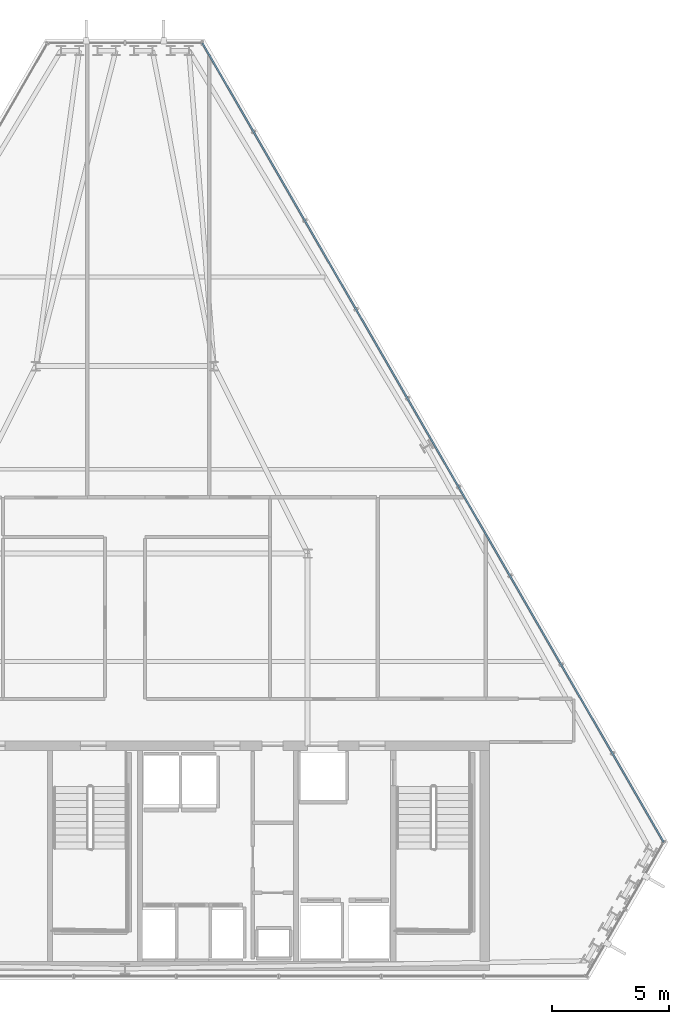
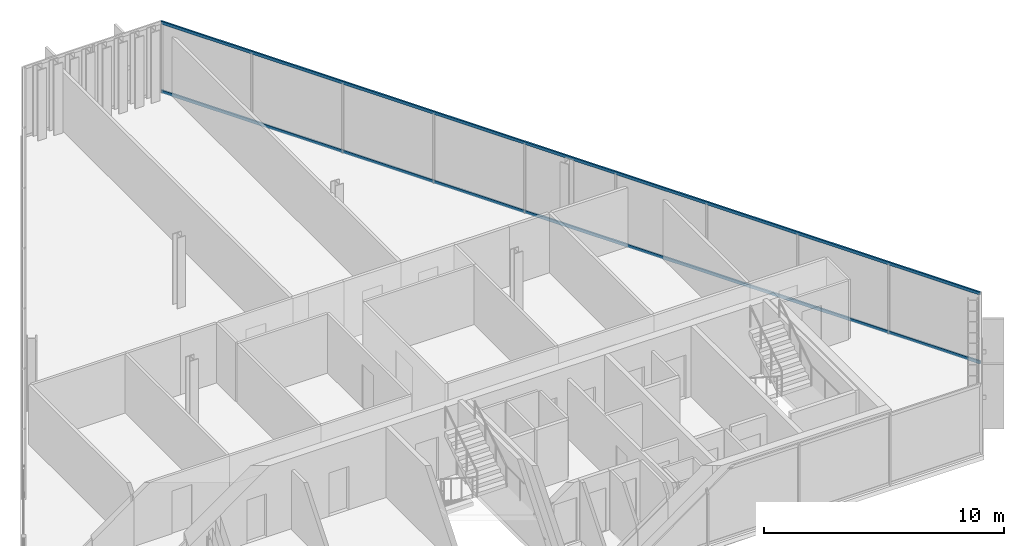
# One storey, part 18 of 29: 2 members, 1 element without a shape of its own.
"""IFC4 building model written with IfcOpenShell, lengths in metres."""

from ifc_helpers import new_model, si_unit, direction, frame, origin, origin_2d, place, context, subcontext, project, spatial, hollow_rectangle, extrude, material, layer, layer_set, material_profile, profile_set, type_object, element, aggregate, save


model = new_model("IFC4")

# Units and contexts
model_context = context("Model", 3, precision=1e-05, world=origin(), true_north=direction((0.0, 1.0)))
body_context = subcontext(model_context, "Body", "Model", "MODEL_VIEW")
ifc_project = project(units=[si_unit("LENGTHUNIT", "METRE"), si_unit("AREAUNIT", "SQUARE_METRE"), si_unit("VOLUMEUNIT", "CUBIC_METRE"), si_unit("PLANEANGLEUNIT", "RADIAN"), si_unit("MASSUNIT", "GRAM", prefix="KILO")], contexts=[model_context])

# Site, building, storey
site_placement = place(None, origin())
site = spatial("IfcSite", under=ifc_project, at=site_placement, CompositionType="ELEMENT")
building_placement = place(site_placement, origin())
building = spatial("IfcBuilding", under=site, at=building_placement, Name="Ndaravel Arena Tower", CompositionType="ELEMENT")
storey_placement = place(building_placement, frame((0.0, 0.0, 244.60009765625)))
storey = spatial("IfcBuildingStorey", under=building, at=storey_placement, Name="L59", CompositionType="ELEMENT", Elevation=244.60009765625)

# Curtain wall, members
ifc_material_1 = material(Name="Aluminium", Category="aluminium")
ifc_layer = layer(ifc_material_1, 0.179931640625)
ifc_layer_set = layer_set([ifc_layer], Name="Aluminium")
curtain_wall_type = type_object("IfcCurtainWallType", Name="CW-SYS-03", PredefinedType="NOTDEFINED", material=ifc_layer_set)
curtain_wall_placement = place(storey_placement, origin())
curtain_wall = element("IfcCurtainWall", 1, at=curtain_wall_placement, inside=storey, type_object=curtain_wall_type, Name="L59 Faceted Crystal Curtain Wall CW-L59-E03", PredefinedType="NOTDEFINED")
ifc_material_2 = material(Name="Aluminium", Category="aluminium")
ifc_material_profile = material_profile(ifc_material_2, hollow_rectangle(XDim=0.074951171875, YDim=0.14990234375, WallThickness=0.00390625, at=origin_2d()), Name="CW TRANSOM 75x150x4")
ifc_profile_set = profile_set([ifc_material_profile], Name="Aluminium")
member_type = type_object("IfcMemberType", Name="MEM-CW-TRN150", PredefinedType="USERDEFINED", material=ifc_profile_set)
member_1_placement = place(storey_placement, frame((64.99560546875, 10.882080078125, 0.039794921875), z_axis=(-0.499999339774, 0.866025784966, 0.0), x_axis=(-0.866025784966, -0.499999339774, 0.0)))
member_1 = element("IfcMember", 2, at=member_1_placement, type_object=member_type, Name="CW-L59-E03 Transom 01", ObjectType="TRANSOM", PredefinedType="USERDEFINED", context=body_context, shape_type="SweptSolid", body=[
    extrude(hollow_rectangle(XDim=0.074951171875, YDim=0.14990234375, WallThickness=0.00390625, at=origin_2d()), origin(), (0.0, 0.0, 1.0), 39.3837890625),
])
member_2_placement = place(storey_placement, frame((64.99560546875, 10.882080078125, 3.539794921875), z_axis=(-0.499999339774, 0.866025784966, 0.0), x_axis=(-0.866025784966, -0.499999339774, 0.0)))
member_2 = element("IfcMember", 3, at=member_2_placement, type_object=member_type, Name="CW-L59-E03 Transom 02", ObjectType="TRANSOM", PredefinedType="USERDEFINED", context=body_context, shape_type="SweptSolid", body=[
    extrude(hollow_rectangle(XDim=0.074951171875, YDim=0.14990234375, WallThickness=0.00390625, at=origin_2d()), origin(), (0.0, 0.0, 1.0), 39.3837890625),
])
aggregate(curtain_wall, [member_1, member_2])

save(model, "model.ifc")
